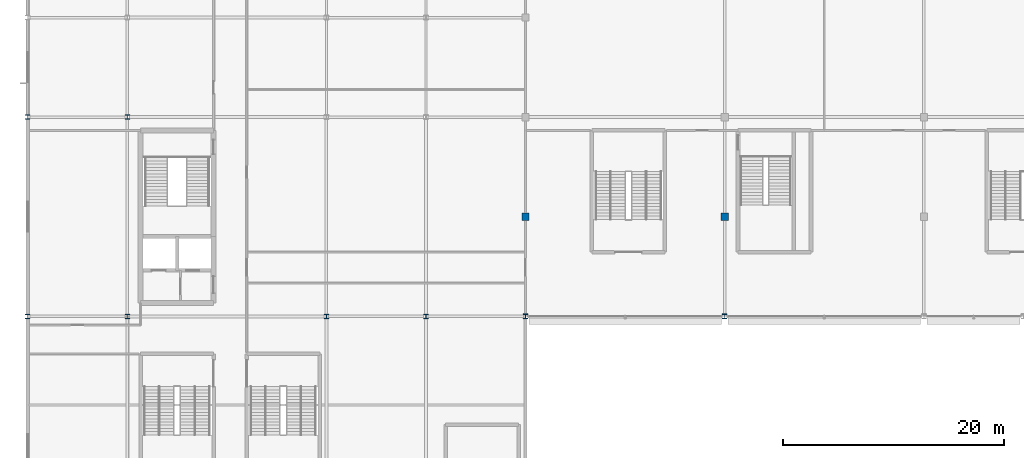
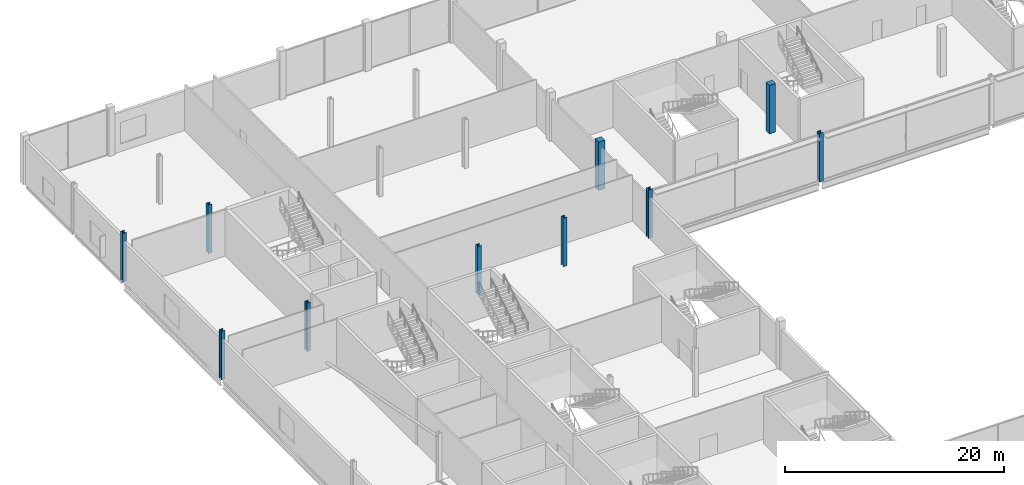
# One storey, part 4 of 111: 10 columns.
"""IFC4 building model written with IfcOpenShell, lengths in metres."""

from ifc_helpers import new_model, si_unit, direction, frame, origin, origin_2d, place, context, subcontext, project, spatial, rectangle, i_section, extrude, material, material_profile, profile_set, type_object, element, save


model = new_model("IFC4")

# Units and contexts
model_context = context("Model", 3, precision=1e-05, world=origin(), true_north=direction((0.0, 1.0)))
body_context = subcontext(model_context, "Body", "Model", "MODEL_VIEW")
ifc_project = project(units=[si_unit("LENGTHUNIT", "METRE"), si_unit("AREAUNIT", "SQUARE_METRE"), si_unit("VOLUMEUNIT", "CUBIC_METRE"), si_unit("PLANEANGLEUNIT", "RADIAN"), si_unit("MASSUNIT", "GRAM", prefix="KILO")], contexts=[model_context])

# Site, building, storey
site_placement = place(None, origin())
site = spatial("IfcSite", under=ifc_project, at=site_placement, CompositionType="ELEMENT")
building_placement = place(site_placement, origin())
building = spatial("IfcBuilding", under=site, at=building_placement, Name="Kisiwana Market Hall", CompositionType="ELEMENT")
storey_placement = place(building_placement, frame((0.0, 0.0, 11.39990234375)))
storey = spatial("IfcBuildingStorey", under=building, at=storey_placement, Name="L02", CompositionType="ELEMENT", Elevation=11.39990234375)

# Columns
ifc_material_1 = material(Name="Concrete C40/50", Category="concrete")
ifc_material_profile_1 = material_profile(ifc_material_1, rectangle(XDim=0.64990234375, YDim=0.64990234375, at=origin_2d()), Name="RC 650x650")
ifc_profile_set_1 = profile_set([ifc_material_profile_1], Name="Concrete C40/50")
column_type_1 = type_object("IfcColumnType", Name="COL-RC-POD-650", PredefinedType="COLUMN", material=ifc_profile_set_1)
for number, where, z_axis, x_axis, name in (
    (1, (45.0, 93.0, 0.0), (0.0, 0.0, 1.0), (1.0, 0.0, 0.0), "Column M/6 (L02) C-0551"),
    (2, (63.0, 93.0, 0.0), (0.0, 0.0, 1.0), (1.0, 0.0, 0.0), "Column M/8 (L02) C-0560"),
):
    element("IfcColumn", number, at=place(storey_placement, frame(where, z_axis=z_axis, x_axis=x_axis)), inside=storey, type_object=column_type_1, Name=name, PredefinedType="COLUMN", context=body_context, shape_type="SweptSolid", body=[
        extrude(rectangle(XDim=0.64990234375, YDim=0.64990234375, at=origin_2d()), origin(), (0.0, 0.0, 1.0), 5.400146484375),
    ])
ifc_material_2 = material(Name="Steel S355", Category="steel")
ifc_material_profile_2 = material_profile(ifc_material_2, i_section(OverallWidth=0.406005859375, OverallDepth=0.416015625, WebThickness=0.02978515625, FlangeThickness=0.048095703125, at=origin_2d()), Name="HD 400x382")
ifc_profile_set_2 = profile_set([ifc_material_profile_2], Name="Steel S355")
column_type_2 = type_object("IfcColumnType", Name="COL-STL-HD382", PredefinedType="COLUMN", material=ifc_profile_set_2)
for number, where, z_axis, x_axis, name in (
    (3, (0.0, 84.0, 0.0), (0.0, 0.0, 1.0), (1.0, 0.0, 0.0), "Column L/1 (L02) C-0515"),
    (4, (0.0, 102.0, 0.0), (0.0, 0.0, 1.0), (1.0, 0.0, 0.0), "Column N/1 (L02) C-0516"),
    (5, (9.0, 84.0, 0.0), (0.0, 0.0, 1.0), (1.0, 0.0, 0.0), "Column L/2 (L02) C-0523"),
    (6, (9.0, 102.0, 0.0), (0.0, 0.0, 1.0), (1.0, 0.0, 0.0), "Column N/2 (L02) C-0524"),
    (7, (27.0, 84.0, 0.0), (0.0, 0.0, 1.0), (1.0, 0.0, 0.0), "Column L/4 (L02) C-0532"),
    (8, (36.0, 84.0, 0.0), (0.0, 0.0, 1.0), (1.0, 0.0, 0.0), "Column L/5 (L02) C-0540"),
):
    element("IfcColumn", number, at=place(storey_placement, frame(where, z_axis=z_axis, x_axis=x_axis)), inside=storey, type_object=column_type_2, Name=name, PredefinedType="COLUMN", context=body_context, shape_type="SweptSolid", body=[
        extrude(i_section(OverallWidth=0.406005859375, OverallDepth=0.416015625, WebThickness=0.02978515625, FlangeThickness=0.048095703125, at=origin_2d()), origin(), (0.0, 0.0, 1.0), 5.400146484375),
    ])
ifc_material_3 = material(Name="Steel S355", Category="steel")
ifc_material_profile_3 = material_profile(ifc_material_3, i_section(OverallWidth=0.412109375, OverallDepth=0.43505859375, WebThickness=0.035888671875, FlangeThickness=0.05810546875, at=origin_2d()), Name="HD 400x463")
ifc_profile_set_3 = profile_set([ifc_material_profile_3], Name="Steel S355")
column_type_3 = type_object("IfcColumnType", Name="COL-STL-HD463", PredefinedType="COLUMN", material=ifc_profile_set_3)
for number, where, z_axis, x_axis, name in (
    (9, (45.0, 84.0, 0.0), (0.0, 0.0, 1.0), (1.0, 0.0, 0.0), "Column L/6 (L02) C-0550"),
    (10, (63.0, 84.0, 0.0), (0.0, 0.0, 1.0), (1.0, 0.0, 0.0), "Column L/8 (L02) C-0559"),
):
    element("IfcColumn", number, at=place(storey_placement, frame(where, z_axis=z_axis, x_axis=x_axis)), inside=storey, type_object=column_type_3, Name=name, PredefinedType="COLUMN", context=body_context, shape_type="SweptSolid", body=[
        extrude(i_section(OverallWidth=0.412109375, OverallDepth=0.43505859375, WebThickness=0.035888671875, FlangeThickness=0.05810546875, at=origin_2d()), origin(), (0.0, 0.0, 1.0), 5.400146484375),
    ])

save(model, "model.ifc")
